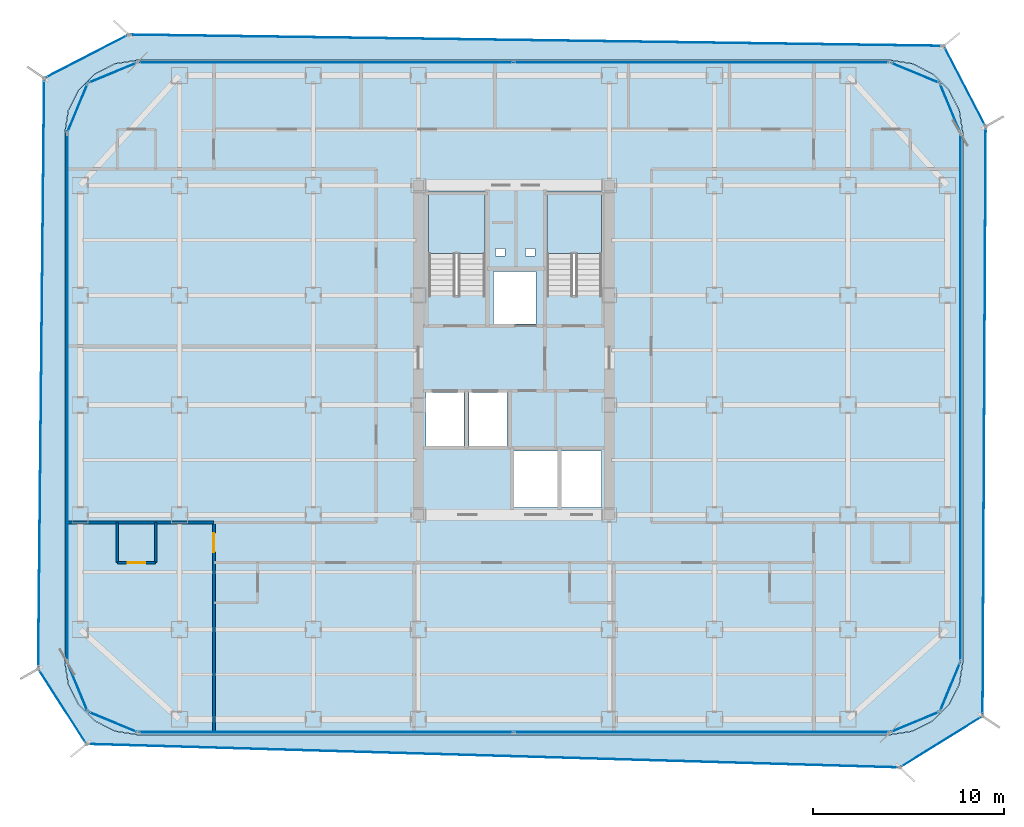
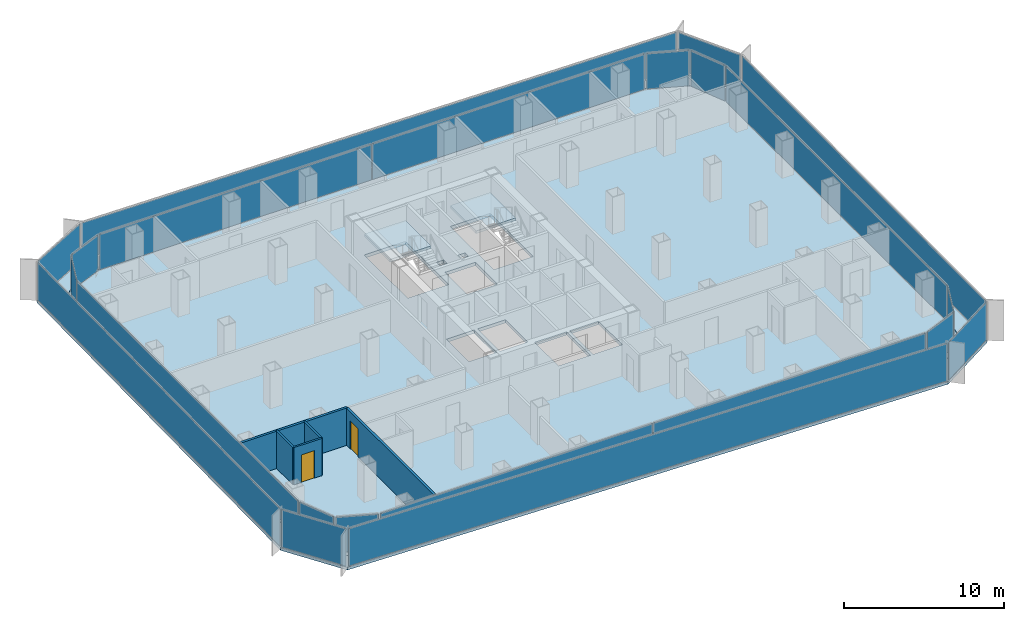
# One storey, part 15 of 21: 22 plates, 5 walls, 4 slabs, 2 doors, 2 openings, 22 elements without a shape of their own.
"""IFC4 building model written with IfcOpenShell, lengths in metres."""

from ifc_helpers import new_model, si_unit, direction, frame, frame_2d, origin, origin_2d, place, context, subcontext, project, spatial, polyline, rectangle, outline, extrude, source, transform, mapped, material, layer, layer_set, type_object, element, fill, aggregate, save


model = new_model("IFC4")

# Units and contexts
model_context = context("Model", 3, precision=1e-05, world=origin(), true_north=direction((0.0, 1.0)))
body_context = subcontext(model_context, "Body", "Model", "MODEL_VIEW")
ifc_project = project(units=[si_unit("LENGTHUNIT", "METRE"), si_unit("AREAUNIT", "SQUARE_METRE"), si_unit("VOLUMEUNIT", "CUBIC_METRE"), si_unit("PLANEANGLEUNIT", "RADIAN"), si_unit("MASSUNIT", "GRAM", prefix="KILO")], contexts=[model_context])

# Site, building, storey
site_placement = place(None, origin())
site = spatial("IfcSite", under=ifc_project, at=site_placement, CompositionType="ELEMENT")
building_placement = place(site_placement, origin())
building = spatial("IfcBuilding", under=site, at=building_placement, Name="Kolveth Station Tower", CompositionType="ELEMENT")
storey_placement = place(building_placement, frame((0.0, 0.0, 148.39990234375)))
storey = spatial("IfcBuildingStorey", under=building, at=storey_placement, Name="L41", CompositionType="ELEMENT", Elevation=148.39990234375)

# Slab
ifc_material_1 = material(Name="Concrete C40/50", Category="concrete")
ifc_layer_1 = layer(ifc_material_1, 0.25)
ifc_layer_set_1 = layer_set([ifc_layer_1], Name="Concrete C40/50")
slab_type_1 = type_object("IfcSlabType", Name="Slab_SF-250", PredefinedType="FLOOR", material=ifc_layer_set_1)
slab_1_placement = place(storey_placement, frame((0.0, 0.0, -0.25)))
element("IfcSlab", 1, at=slab_1_placement, inside=storey, type_object=slab_type_1, Name="L41 Tower Structural Floor Slab", PredefinedType="FLOOR", context=body_context, shape_type="SweptSolid", body=[
    extrude(outline(polyline([(43.199951171875, 0.0), (44.374267578125, 0.18603515625), (45.43359375, 0.7255859375), (46.2744140625, 1.56640625), (46.81396484375, 2.625732421875), (47.0, 3.800048828125), (47.0, 31.5), (46.81396484375, 32.67431640625), (46.2744140625, 33.733642578125), (45.43359375, 34.57421875), (44.374267578125, 35.114013671875), (43.199951171875, 35.300048828125), (3.800048828125, 35.300048828125), (2.625732421875, 35.114013671875), (1.56640625, 34.57421875), (0.7255859375, 33.733642578125), (0.18603515625, 32.67431640625), (0.0, 31.5), (0.0, 3.800048828125), (0.18603515625, 2.625732421875), (0.7255859375, 1.56640625), (1.56640625, 0.7255859375), (2.625732421875, 0.18603515625), (3.800048828125, 0.0), (43.199951171875, 0.0)]), holes=[polyline([(19.0400390625, 22.985107421875), (22.0, 22.985107421875), (22.0, 28.39990234375), (19.0400390625, 28.39990234375), (19.0400390625, 22.985107421875)]), polyline([(25.239990234375, 22.985107421875), (28.10009765625, 22.985107421875), (28.10009765625, 28.39990234375), (25.239990234375, 28.39990234375), (25.239990234375, 22.985107421875)]), polyline([(18.89990234375, 15.10009765625), (20.89990234375, 15.10009765625), (20.89990234375, 17.89990234375), (18.89990234375, 17.89990234375), (18.89990234375, 15.10009765625)]), polyline([(21.14990234375, 15.10009765625), (23.14990234375, 15.10009765625), (23.14990234375, 17.89990234375), (21.14990234375, 17.89990234375), (21.14990234375, 15.10009765625)]), polyline([(22.449951171875, 21.5), (24.64990234375, 21.5), (24.64990234375, 24.25), (22.449951171875, 24.25), (22.449951171875, 21.5)]), polyline([(23.5, 11.89990234375), (25.800048828125, 11.89990234375), (25.800048828125, 14.85009765625), (23.5, 14.85009765625), (23.5, 11.89990234375)]), polyline([(26.0, 11.89990234375), (28.10009765625, 11.89990234375), (28.10009765625, 14.85009765625), (26.0, 14.85009765625), (26.0, 11.89990234375)]), polyline([(22.550048828125, 25.050048828125), (23.050048828125, 25.050048828125), (23.050048828125, 25.449951171875), (22.550048828125, 25.449951171875), (22.550048828125, 25.050048828125)]), polyline([(24.10009765625, 25.050048828125), (24.60009765625, 25.050048828125), (24.60009765625, 25.449951171875), (24.10009765625, 25.449951171875), (24.10009765625, 25.050048828125)])]), origin(), (0.0, 0.0, 1.0), 0.25),
])

# Stair, slab
stair_type_1 = type_object("IfcStairType", Name="Stair_ST2", PredefinedType="HALF_TURN_STAIR", material=ifc_material_1)
stair_1_placement = place(storey_placement, origin())
stair_1 = element("IfcStair", 2, at=stair_1_placement, inside=storey, type_object=stair_type_1, Name="L41 Tower Exit Stair ST2", PredefinedType="HALF_TURN_STAIR")
ifc_layer_2 = layer(ifc_material_1, 0.18994140625)
ifc_layer_set_2 = layer_set([ifc_layer_2], Name="Concrete C40/50")
slab_type_2 = type_object("IfcSlabType", Name="Slab_SL-190", PredefinedType="LANDING", material=ifc_layer_set_2)
slab_2_placement = place(storey_placement, frame((0.0, 0.0, 1.400146484375)))
slab_2 = element("IfcSlab", 3, at=slab_2_placement, type_object=slab_type_2, Name="ST2 landing 1", PredefinedType="LANDING", context=body_context, shape_type="SweptSolid", body=[
    extrude(outline(polyline([(28.10009765625, 25.18994140625), (28.10009765625, 28.39990234375), (25.239990234375, 28.39990234375), (25.239990234375, 25.18994140625), (28.10009765625, 25.18994140625)])), origin(), (0.0, 0.0, 1.0), 0.199951171875),
])
aggregate(stair_1, [slab_2])

stair_type_2 = type_object("IfcStairType", Name="Stair_ST1", PredefinedType="HALF_TURN_STAIR", material=ifc_material_1)
stair_2_placement = place(storey_placement, origin())
stair_2 = element("IfcStair", 4, at=stair_2_placement, inside=storey, type_object=stair_type_2, Name="L41 Tower Exit Stair ST1", PredefinedType="HALF_TURN_STAIR")
ifc_layer_3 = layer(ifc_material_1, 0.205078125)
ifc_layer_set_3 = layer_set([ifc_layer_3], Name="Concrete C40/50")
slab_type_3 = type_object("IfcSlabType", Name="Slab_SL-205", PredefinedType="LANDING", material=ifc_layer_set_3)
slab_3_placement = place(storey_placement, frame((0.0, 0.0, 1.400146484375)))
slab_3 = element("IfcSlab", 5, at=slab_3_placement, type_object=slab_type_3, Name="ST1 landing 1", PredefinedType="LANDING", context=body_context, shape_type="SweptSolid", body=[
    extrude(outline(polyline([(22.0, 25.18994140625), (22.0, 28.39990234375), (19.0400390625, 28.39990234375), (19.0400390625, 25.18994140625), (22.0, 25.18994140625)])), origin(), (0.0, 0.0, 1.0), 0.199951171875),
])
aggregate(stair_2, [slab_3])

# Slab
ifc_layer_4 = layer(ifc_material_1, 0.2099609375)
ifc_layer_set_4 = layer_set([ifc_layer_4], Name="Concrete C40/50")
slab_type_4 = type_object("IfcSlabType", Name="Slab_ST-210", PredefinedType="FLOOR", material=ifc_layer_set_4)
slab_4_placement = place(storey_placement, frame((0.0, 0.0, -0.2099609375)))
element("IfcSlab", 6, at=slab_4_placement, inside=storey, type_object=slab_type_4, Name="L41 Double-Skin Cavity Structural Ledger Ring", PredefinedType="FLOOR", context=body_context, shape_type="SweptSolid", body=[
    extrude(outline(polyline([(1.13525390625, -0.49365234375), (-1.39501953125, 3.44482421875), (-1.08251953125, 34.35693359375), (3.336669921875, 36.6396484375), (46.01220703125, 36.05224609375), (48.20751953125, 31.83154296875), (48.043701171875, 0.96533203125), (43.710693359375, -1.72216796875), (1.13525390625, -0.49365234375)]), holes=[polyline([(43.202392578125, -0.014892578125), (44.376708984375, 0.171142578125), (44.381103515625, 0.172607421875), (45.4404296875, 0.71240234375), (45.444091796875, 0.715087890625), (46.284912109375, 1.555908203125), (46.28759765625, 1.5595703125), (46.827392578125, 2.618896484375), (46.828857421875, 2.623291015625), (47.014892578125, 3.797607421875), (47.014892578125, 3.800048828125), (47.014892578125, 31.5), (47.014892578125, 31.502197265625), (46.828857421875, 32.676513671875), (46.827392578125, 32.68115234375), (46.28759765625, 33.740478515625), (46.284912109375, 33.744140625), (45.444091796875, 34.5849609375), (45.4404296875, 34.587646484375), (44.381103515625, 35.12744140625), (44.376708984375, 35.12890625), (43.202392578125, 35.314697265625), (43.199951171875, 35.31494140625), (3.800048828125, 35.31494140625), (3.797607421875, 35.314697265625), (2.623291015625, 35.12890625), (2.618896484375, 35.12744140625), (1.5595703125, 34.587646484375), (1.555908203125, 34.5849609375), (0.715087890625, 33.744140625), (0.71240234375, 33.740478515625), (0.172607421875, 32.68115234375), (0.171142578125, 32.676513671875), (-0.014892578125, 31.502197265625), (-0.014892578125, 31.5), (-0.014892578125, 3.800048828125), (-0.014892578125, 3.797607421875), (0.171142578125, 2.623291015625), (0.172607421875, 2.618896484375), (0.71240234375, 1.5595703125), (0.715087890625, 1.555908203125), (1.555908203125, 0.715087890625), (1.5595703125, 0.71240234375), (2.618896484375, 0.172607421875), (2.623291015625, 0.171142578125), (3.797607421875, -0.014892578125), (3.800048828125, -0.014892578125), (43.199951171875, -0.014892578125), (43.202392578125, -0.014892578125)])]), origin(), (0.0, 0.0, 1.0), 0.2099609375),
])

# Curtain wall, plate
ifc_material_2 = material(Name="Aluminium 6063-T6 and low-E dark glass", Category="aluminium")
ifc_layer_5 = layer(ifc_material_2, 0.18994140625)
ifc_layer_set_5 = layer_set([ifc_layer_5], Name="Aluminium 6063-T6 and low-E dark glass")
curtain_wall_type_1 = type_object("IfcCurtainWallType", Name="CurtainWall_CW-Z2", PredefinedType="NOTDEFINED", material=ifc_layer_set_5)
curtain_wall_1_placement = place(storey_placement, origin())
curtain_wall_1 = element("IfcCurtainWall", 7, at=curtain_wall_1_placement, inside=storey, type_object=curtain_wall_type_1, Name="L41 Inner Thermal Curtain Wall 1", PredefinedType="NOTDEFINED")
ifc_material_3 = material(Name="Architectural low-E dark glass", Category="glass")
ifc_layer_6 = layer(ifc_material_3, 0.0380859375)
ifc_layer_set_6 = layer_set([ifc_layer_6], Name="Architectural low-E dark glass")
plate_type_1 = type_object("IfcPlateType", Name="Panel_GL2", PredefinedType="CURTAIN_PANEL", material=ifc_layer_set_6)
shared_shape_1 = source(origin(), body_context, "Body", "SweptSolid", [
    extrude(rectangle(XDim=2.670654296875, YDim=0.0380859375, at=origin_2d()), origin(), (0.0, 0.0, 1.0), 2.694091796875),
])
plate_1_placement = place(storey_placement, frame((44.501220703125, 0.658935546875, 0.0732421875), z_axis=(0.0, 0.0, 1.0), x_axis=(0.923887883787, 0.38266326998, 0.0)))
plate_1 = element("IfcPlate", 8, at=plate_1_placement, type_object=plate_type_1, Name="CW-Z2 panel 1.1", PredefinedType="CURTAIN_PANEL", context=body_context, shape_type="MappedRepresentation", body=[
    mapped(shared_shape_1, transform((0.0, 0.0, 0.0), x_axis=(1.0, 0.0, 0.0), y_axis=(0.0, 1.0, 0.0), z_axis=(0.0, 0.0, 1.0), scale=1.0)),
])
aggregate(curtain_wall_1, [plate_1])

curtain_wall_2_placement = place(storey_placement, origin())
curtain_wall_2 = element("IfcCurtainWall", 9, at=curtain_wall_2_placement, inside=storey, type_object=curtain_wall_type_1, Name="L41 Inner Thermal Curtain Wall 2", PredefinedType="NOTDEFINED")
plate_2_placement = place(storey_placement, frame((46.341064453125, 2.498779296875, 0.0732421875), z_axis=(0.0, 0.0, 1.0), x_axis=(0.38266326998, 0.923887883787, 0.0)))
plate_2 = element("IfcPlate", 10, at=plate_2_placement, type_object=plate_type_1, Name="CW-Z2 panel 1.1", PredefinedType="CURTAIN_PANEL", context=body_context, shape_type="MappedRepresentation", body=[
    mapped(shared_shape_1, transform((0.0, 0.0, 0.0), x_axis=(1.0, 0.0, 0.0), y_axis=(0.0, 1.0, 0.0), z_axis=(0.0, 0.0, 1.0), scale=1.0)),
])
aggregate(curtain_wall_2, [plate_2])

curtain_wall_3_placement = place(storey_placement, origin())
curtain_wall_3 = element("IfcCurtainWall", 11, at=curtain_wall_3_placement, inside=storey, type_object=curtain_wall_type_1, Name="L41 Inner Thermal Curtain Wall 4", PredefinedType="NOTDEFINED")
plate_3_placement = place(storey_placement, frame((46.341064453125, 32.801025390625, 0.0732421875), z_axis=(0.0, 0.0, 1.0), x_axis=(-0.38266326998, 0.923887883787, 0.0)))
plate_3 = element("IfcPlate", 12, at=plate_3_placement, type_object=plate_type_1, Name="CW-Z2 panel 1.1", PredefinedType="CURTAIN_PANEL", context=body_context, shape_type="MappedRepresentation", body=[
    mapped(shared_shape_1, transform((0.0, 0.0, 0.0), x_axis=(1.0, 0.0, 0.0), y_axis=(0.0, 1.0, 0.0), z_axis=(0.0, 0.0, 1.0), scale=1.0)),
])
aggregate(curtain_wall_3, [plate_3])

curtain_wall_4_placement = place(storey_placement, origin())
curtain_wall_4 = element("IfcCurtainWall", 13, at=curtain_wall_4_placement, inside=storey, type_object=curtain_wall_type_1, Name="L41 Inner Thermal Curtain Wall 5", PredefinedType="NOTDEFINED")
plate_4_placement = place(storey_placement, frame((44.501220703125, 34.64111328125, 0.0732421875), z_axis=(0.0, 0.0, 1.0), x_axis=(-0.923887883787, 0.38266326998, 0.0)))
plate_4 = element("IfcPlate", 14, at=plate_4_placement, type_object=plate_type_1, Name="CW-Z2 panel 1.1", PredefinedType="CURTAIN_PANEL", context=body_context, shape_type="MappedRepresentation", body=[
    mapped(shared_shape_1, transform((0.0, 0.0, 0.0), x_axis=(1.0, 0.0, 0.0), y_axis=(0.0, 1.0, 0.0), z_axis=(0.0, 0.0, 1.0), scale=1.0)),
])
aggregate(curtain_wall_4, [plate_4])

curtain_wall_5_placement = place(storey_placement, origin())
curtain_wall_5 = element("IfcCurtainWall", 15, at=curtain_wall_5_placement, inside=storey, type_object=curtain_wall_type_1, Name="L41 Inner Thermal Curtain Wall 7", PredefinedType="NOTDEFINED")
plate_5_placement = place(storey_placement, frame((2.498779296875, 34.64111328125, 0.0732421875), z_axis=(0.0, 0.0, 1.0), x_axis=(-0.923887883787, -0.38266326998, 0.0)))
plate_5 = element("IfcPlate", 16, at=plate_5_placement, type_object=plate_type_1, Name="CW-Z2 panel 1.1", PredefinedType="CURTAIN_PANEL", context=body_context, shape_type="MappedRepresentation", body=[
    mapped(shared_shape_1, transform((0.0, 0.0, 0.0), x_axis=(1.0, 0.0, 0.0), y_axis=(0.0, 1.0, 0.0), z_axis=(0.0, 0.0, 1.0), scale=1.0)),
])
aggregate(curtain_wall_5, [plate_5])

curtain_wall_6_placement = place(storey_placement, origin())
curtain_wall_6 = element("IfcCurtainWall", 17, at=curtain_wall_6_placement, inside=storey, type_object=curtain_wall_type_1, Name="L41 Inner Thermal Curtain Wall 8", PredefinedType="NOTDEFINED")
plate_6_placement = place(storey_placement, frame((0.658935546875, 32.801025390625, 0.0732421875), z_axis=(0.0, 0.0, 1.0), x_axis=(-0.38266326998, -0.923887883787, 0.0)))
plate_6 = element("IfcPlate", 18, at=plate_6_placement, type_object=plate_type_1, Name="CW-Z2 panel 1.1", PredefinedType="CURTAIN_PANEL", context=body_context, shape_type="MappedRepresentation", body=[
    mapped(shared_shape_1, transform((0.0, 0.0, 0.0), x_axis=(1.0, 0.0, 0.0), y_axis=(0.0, 1.0, 0.0), z_axis=(0.0, 0.0, 1.0), scale=1.0)),
])
aggregate(curtain_wall_6, [plate_6])

curtain_wall_7_placement = place(storey_placement, origin())
curtain_wall_7 = element("IfcCurtainWall", 19, at=curtain_wall_7_placement, inside=storey, type_object=curtain_wall_type_1, Name="L41 Inner Thermal Curtain Wall 10", PredefinedType="NOTDEFINED")
plate_7_placement = place(storey_placement, frame((0.658935546875, 2.498779296875, 0.0732421875), z_axis=(0.0, 0.0, 1.0), x_axis=(0.38266326998, -0.923887883787, 0.0)))
plate_7 = element("IfcPlate", 20, at=plate_7_placement, type_object=plate_type_1, Name="CW-Z2 panel 1.1", PredefinedType="CURTAIN_PANEL", context=body_context, shape_type="MappedRepresentation", body=[
    mapped(shared_shape_1, transform((0.0, 0.0, 0.0), x_axis=(1.0, 0.0, 0.0), y_axis=(0.0, 1.0, 0.0), z_axis=(0.0, 0.0, 1.0), scale=1.0)),
])
aggregate(curtain_wall_7, [plate_7])

curtain_wall_8_placement = place(storey_placement, origin())
curtain_wall_8 = element("IfcCurtainWall", 21, at=curtain_wall_8_placement, inside=storey, type_object=curtain_wall_type_1, Name="L41 Inner Thermal Curtain Wall 11", PredefinedType="NOTDEFINED")
plate_8_placement = place(storey_placement, frame((2.498779296875, 0.658935546875, 0.0732421875), z_axis=(0.0, 0.0, 1.0), x_axis=(0.923887883787, -0.38266326998, 0.0)))
plate_8 = element("IfcPlate", 22, at=plate_8_placement, type_object=plate_type_1, Name="CW-Z2 panel 1.1", PredefinedType="CURTAIN_PANEL", context=body_context, shape_type="MappedRepresentation", body=[
    mapped(shared_shape_1, transform((0.0, 0.0, 0.0), x_axis=(1.0, 0.0, 0.0), y_axis=(0.0, 1.0, 0.0), z_axis=(0.0, 0.0, 1.0), scale=1.0)),
])
aggregate(curtain_wall_8, [plate_8])

curtain_wall_9_placement = place(storey_placement, origin())
curtain_wall_9 = element("IfcCurtainWall", 23, at=curtain_wall_9_placement, inside=storey, type_object=curtain_wall_type_1, Name="L41 Inner Thermal Curtain Wall 3", PredefinedType="NOTDEFINED")
shared_shape_2 = source(origin(), body_context, "Body", "SweptSolid", [
    extrude(rectangle(XDim=27.553955078125, YDim=0.0380859375, at=origin_2d()), origin(), (0.0, 0.0, 1.0), 2.694091796875),
])
plate_9_placement = place(storey_placement, frame((46.8798828125, 17.64990234375, 0.0732421875), z_axis=(0.0, 0.0, 1.0), x_axis=(0.0, 1.0, 0.0)))
plate_9 = element("IfcPlate", 24, at=plate_9_placement, type_object=plate_type_1, Name="CW-Z2 panel 1.1", PredefinedType="CURTAIN_PANEL", context=body_context, shape_type="MappedRepresentation", body=[
    mapped(shared_shape_2, transform((0.0, 0.0, 0.0), x_axis=(1.0, 0.0, 0.0), y_axis=(0.0, 1.0, 0.0), z_axis=(0.0, 0.0, 1.0), scale=1.0)),
])
aggregate(curtain_wall_9, [plate_9])

curtain_wall_10_placement = place(storey_placement, origin())
curtain_wall_10 = element("IfcCurtainWall", 25, at=curtain_wall_10_placement, inside=storey, type_object=curtain_wall_type_1, Name="L41 Inner Thermal Curtain Wall 9", PredefinedType="NOTDEFINED")
plate_10_placement = place(storey_placement, frame((0.1201171875, 17.64990234375, 0.0732421875), z_axis=(0.0, 0.0, 1.0), x_axis=(0.0, -1.0, 0.0)))
plate_10 = element("IfcPlate", 26, at=plate_10_placement, type_object=plate_type_1, Name="CW-Z2 panel 1.1", PredefinedType="CURTAIN_PANEL", context=body_context, shape_type="MappedRepresentation", body=[
    mapped(shared_shape_2, transform((0.0, 0.0, 0.0), x_axis=(1.0, 0.0, 0.0), y_axis=(0.0, 1.0, 0.0), z_axis=(0.0, 0.0, 1.0), scale=1.0)),
])
aggregate(curtain_wall_10, [plate_10])

# Curtain wall, plates
curtain_wall_11_placement = place(storey_placement, origin())
curtain_wall_11 = element("IfcCurtainWall", 27, at=curtain_wall_11_placement, inside=storey, type_object=curtain_wall_type_1, Name="L41 Inner Thermal Curtain Wall 6", PredefinedType="NOTDEFINED")
shared_shape_3 = source(origin(), body_context, "Body", "SweptSolid", [
    extrude(rectangle(XDim=19.593994140625, YDim=0.0380859375, at=origin_2d()), origin(), (0.0, 0.0, 1.0), 2.694091796875),
])
plate_11_placement = place(storey_placement, frame((33.330078125, 35.179931640625, 0.0732421875), z_axis=(0.0, 0.0, 1.0), x_axis=(-1.0, 0.0, 0.0)))
plate_11 = element("IfcPlate", 28, at=plate_11_placement, type_object=plate_type_1, Name="CW-Z2 panel 1.1", PredefinedType="CURTAIN_PANEL", context=body_context, shape_type="MappedRepresentation", body=[
    mapped(shared_shape_3, transform((0.0, 0.0, 0.0), x_axis=(1.0, 0.0, 0.0), y_axis=(0.0, 1.0, 0.0), z_axis=(0.0, 0.0, 1.0), scale=1.0)),
])
plate_12_placement = place(storey_placement, frame((13.669921875, 35.179931640625, 0.0732421875), z_axis=(0.0, 0.0, 1.0), x_axis=(-1.0, 0.0, 0.0)))
plate_12 = element("IfcPlate", 29, at=plate_12_placement, type_object=plate_type_1, Name="CW-Z2 panel 2.1", PredefinedType="CURTAIN_PANEL", context=body_context, shape_type="MappedRepresentation", body=[
    mapped(shared_shape_3, transform((0.0, 0.0, 0.0), x_axis=(1.0, 0.0, 0.0), y_axis=(0.0, 1.0, 0.0), z_axis=(0.0, 0.0, 1.0), scale=1.0)),
])
aggregate(curtain_wall_11, [plate_11, plate_12])

curtain_wall_12_placement = place(storey_placement, origin())
curtain_wall_12 = element("IfcCurtainWall", 30, at=curtain_wall_12_placement, inside=storey, type_object=curtain_wall_type_1, Name="L41 Inner Thermal Curtain Wall 12", PredefinedType="NOTDEFINED")
plate_13_placement = place(storey_placement, frame((13.669921875, 0.1201171875, 0.0732421875), z_axis=(0.0, 0.0, 1.0), x_axis=(1.0, 0.0, 0.0)))
plate_13 = element("IfcPlate", 31, at=plate_13_placement, type_object=plate_type_1, Name="CW-Z2 panel 1.1", PredefinedType="CURTAIN_PANEL", context=body_context, shape_type="MappedRepresentation", body=[
    mapped(shared_shape_3, transform((0.0, 0.0, 0.0), x_axis=(1.0, 0.0, 0.0), y_axis=(0.0, 1.0, 0.0), z_axis=(0.0, 0.0, 1.0), scale=1.0)),
])
plate_14_placement = place(storey_placement, frame((33.330078125, 0.1201171875, 0.0732421875), z_axis=(0.0, 0.0, 1.0), x_axis=(1.0, 0.0, 0.0)))
plate_14 = element("IfcPlate", 32, at=plate_14_placement, type_object=plate_type_1, Name="CW-Z2 panel 2.1", PredefinedType="CURTAIN_PANEL", context=body_context, shape_type="MappedRepresentation", body=[
    mapped(shared_shape_3, transform((0.0, 0.0, 0.0), x_axis=(1.0, 0.0, 0.0), y_axis=(0.0, 1.0, 0.0), z_axis=(0.0, 0.0, 1.0), scale=1.0)),
])
aggregate(curtain_wall_12, [plate_13, plate_14])

# Curtain wall, plate
ifc_material_4 = material(Name="Black anodized aluminium 6063-T6 and dark solar glass", Category="aluminium")
ifc_layer_7 = layer(ifc_material_4, 0.159912109375)
ifc_layer_set_7 = layer_set([ifc_layer_7], Name="Black anodized aluminium 6063-T6 and dark solar glass")
curtain_wall_type_2 = type_object("IfcCurtainWallType", Name="OUTER SKIN CW-OS", PredefinedType="NOTDEFINED", material=ifc_layer_set_7)
curtain_wall_13_placement = place(storey_placement, origin())
curtain_wall_13 = element("IfcCurtainWall", 33, at=curtain_wall_13_placement, inside=storey, type_object=curtain_wall_type_2, Name="L41 Outer Ventilated Skin Curtain Wall 1", PredefinedType="NOTDEFINED")
ifc_layer_8 = layer(ifc_material_3, 0.028076171875)
ifc_layer_set_8 = layer_set([ifc_layer_8], Name="Architectural low-E dark glass")
plate_type_2 = type_object("IfcPlateType", Name="Panel_GL-OS", PredefinedType="CURTAIN_PANEL", material=ifc_layer_set_8)
shared_shape_4 = source(origin(), body_context, "Body", "SweptSolid", [
    extrude(rectangle(XDim=4.932861328125, YDim=0.028076171875, at=origin_2d()), origin(), (0.0, 0.0, 1.0), 2.843994140625),
])
plate_15_placement = place(storey_placement, frame((45.877197265625, -0.37841796875, 0.0732421875), z_axis=(0.0, 0.0, 1.0), x_axis=(0.849831012747, 0.527055262541, 0.0)))
plate_15 = element("IfcPlate", 34, at=plate_15_placement, type_object=plate_type_2, Name="CW-OS panel 1.1", PredefinedType="CURTAIN_PANEL", context=body_context, shape_type="MappedRepresentation", body=[
    mapped(shared_shape_4, transform((0.0, 0.0, 0.0), x_axis=(1.0, 0.0, 0.0), y_axis=(0.0, 1.0, 0.0), z_axis=(0.0, 0.0, 1.0), scale=1.0)),
])
aggregate(curtain_wall_13, [plate_15])

curtain_wall_14_placement = place(storey_placement, origin())
curtain_wall_14 = element("IfcCurtainWall", 35, at=curtain_wall_14_placement, inside=storey, type_object=curtain_wall_type_2, Name="L41 Outer Ventilated Skin Curtain Wall 2", PredefinedType="NOTDEFINED")
shared_shape_5 = source(origin(), body_context, "Body", "SweptSolid", [
    extrude(rectangle(XDim=30.70068359375, YDim=0.028076171875, at=origin_2d()), origin(), (0.0, 0.0, 1.0), 2.843994140625),
])
plate_16_placement = place(storey_placement, frame((48.125732421875, 16.3984375, 0.0732421875), z_axis=(0.0, 0.0, 1.0), x_axis=(0.005306683782, 0.999985919454, 0.0)))
plate_16 = element("IfcPlate", 36, at=plate_16_placement, type_object=plate_type_2, Name="CW-OS panel 1.1", PredefinedType="CURTAIN_PANEL", context=body_context, shape_type="MappedRepresentation", body=[
    mapped(shared_shape_5, transform((0.0, 0.0, 0.0), x_axis=(1.0, 0.0, 0.0), y_axis=(0.0, 1.0, 0.0), z_axis=(0.0, 0.0, 1.0), scale=1.0)),
])
aggregate(curtain_wall_14, [plate_16])

curtain_wall_15_placement = place(storey_placement, origin())
curtain_wall_15 = element("IfcCurtainWall", 37, at=curtain_wall_15_placement, inside=storey, type_object=curtain_wall_type_2, Name="L41 Outer Ventilated Skin Curtain Wall 3", PredefinedType="NOTDEFINED")
shared_shape_6 = source(origin(), body_context, "Body", "SweptSolid", [
    extrude(rectangle(XDim=4.591552734375, YDim=0.028076171875, at=origin_2d()), origin(), (0.0, 0.0, 1.0), 2.843994140625),
])
plate_17_placement = place(storey_placement, frame((47.10986328125, 33.94189453125, 0.0732421875), z_axis=(0.0, 0.0, 1.0), x_axis=(-0.461441418695, 0.887170680936, 0.0)))
plate_17 = element("IfcPlate", 38, at=plate_17_placement, type_object=plate_type_2, Name="CW-OS panel 1.1", PredefinedType="CURTAIN_PANEL", context=body_context, shape_type="MappedRepresentation", body=[
    mapped(shared_shape_6, transform((0.0, 0.0, 0.0), x_axis=(1.0, 0.0, 0.0), y_axis=(0.0, 1.0, 0.0), z_axis=(0.0, 0.0, 1.0), scale=1.0)),
])
aggregate(curtain_wall_15, [plate_17])

curtain_wall_16_placement = place(storey_placement, origin())
curtain_wall_16 = element("IfcCurtainWall", 39, at=curtain_wall_16_placement, inside=storey, type_object=curtain_wall_type_2, Name="L41 Outer Ventilated Skin Curtain Wall 4", PredefinedType="NOTDEFINED")
shared_shape_7 = source(origin(), body_context, "Body", "SweptSolid", [
    extrude(rectangle(XDim=42.513671875, YDim=0.028076171875, at=origin_2d()), origin(), (0.0, 0.0, 1.0), 2.843994140625),
])
plate_18_placement = place(storey_placement, frame((24.674560546875, 36.345947265625, 0.0732421875), z_axis=(0.0, 0.0, 1.0), x_axis=(-0.999905285847, 0.013762969678, 0.0)))
plate_18 = element("IfcPlate", 40, at=plate_18_placement, type_object=plate_type_2, Name="CW-OS panel 1.1", PredefinedType="CURTAIN_PANEL", context=body_context, shape_type="MappedRepresentation", body=[
    mapped(shared_shape_7, transform((0.0, 0.0, 0.0), x_axis=(1.0, 0.0, 0.0), y_axis=(0.0, 1.0, 0.0), z_axis=(0.0, 0.0, 1.0), scale=1.0)),
])
aggregate(curtain_wall_16, [plate_18])

curtain_wall_17_placement = place(storey_placement, origin())
curtain_wall_17 = element("IfcCurtainWall", 41, at=curtain_wall_17_placement, inside=storey, type_object=curtain_wall_type_2, Name="L41 Outer Ventilated Skin Curtain Wall 5", PredefinedType="NOTDEFINED")
shared_shape_8 = source(origin(), body_context, "Body", "SweptSolid", [
    extrude(rectangle(XDim=4.807861328125, YDim=0.028076171875, at=origin_2d()), origin(), (0.0, 0.0, 1.0), 2.843994140625),
])
plate_19_placement = place(storey_placement, frame((1.127197265625, 35.498291015625, 0.0732421875), z_axis=(0.0, 0.0, 1.0), x_axis=(-0.888454601831, -0.458964508961, 0.0)))
plate_19 = element("IfcPlate", 42, at=plate_19_placement, type_object=plate_type_2, Name="CW-OS panel 1.1", PredefinedType="CURTAIN_PANEL", context=body_context, shape_type="MappedRepresentation", body=[
    mapped(shared_shape_8, transform((0.0, 0.0, 0.0), x_axis=(1.0, 0.0, 0.0), y_axis=(0.0, 1.0, 0.0), z_axis=(0.0, 0.0, 1.0), scale=1.0)),
])
aggregate(curtain_wall_17, [plate_19])

curtain_wall_18_placement = place(storey_placement, origin())
curtain_wall_18 = element("IfcCurtainWall", 43, at=curtain_wall_18_placement, inside=storey, type_object=curtain_wall_type_2, Name="L41 Outer Ventilated Skin Curtain Wall 6", PredefinedType="NOTDEFINED")
shared_shape_9 = source(origin(), body_context, "Body", "SweptSolid", [
    extrude(rectangle(XDim=30.747802734375, YDim=0.028076171875, at=origin_2d()), origin(), (0.0, 0.0, 1.0), 2.843994140625),
])
plate_20_placement = place(storey_placement, frame((-1.23876953125, 18.90087890625, 0.0732421875), z_axis=(0.0, 0.0, 1.0), x_axis=(-0.010108793407, -0.999948904843, 0.0)))
plate_20 = element("IfcPlate", 44, at=plate_20_placement, type_object=plate_type_2, Name="CW-OS panel 1.1", PredefinedType="CURTAIN_PANEL", context=body_context, shape_type="MappedRepresentation", body=[
    mapped(shared_shape_9, transform((0.0, 0.0, 0.0), x_axis=(1.0, 0.0, 0.0), y_axis=(0.0, 1.0, 0.0), z_axis=(0.0, 0.0, 1.0), scale=1.0)),
])
aggregate(curtain_wall_18, [plate_20])

curtain_wall_19_placement = place(storey_placement, origin())
curtain_wall_19 = element("IfcCurtainWall", 45, at=curtain_wall_19_placement, inside=storey, type_object=curtain_wall_type_2, Name="L41 Outer Ventilated Skin Curtain Wall 7", PredefinedType="NOTDEFINED")
shared_shape_10 = source(origin(), body_context, "Body", "SweptSolid", [
    extrude(rectangle(XDim=4.51513671875, YDim=0.028076171875, at=origin_2d()), origin(), (0.0, 0.0, 1.0), 2.843994140625),
])
plate_21_placement = place(storey_placement, frame((-0.1298828125, 1.4755859375, 0.0732421875), z_axis=(0.0, 0.0, 1.0), x_axis=(0.540511399288, -0.841336690772, 0.0)))
plate_21 = element("IfcPlate", 46, at=plate_21_placement, type_object=plate_type_2, Name="CW-OS panel 1.1", PredefinedType="CURTAIN_PANEL", context=body_context, shape_type="MappedRepresentation", body=[
    mapped(shared_shape_10, transform((0.0, 0.0, 0.0), x_axis=(1.0, 0.0, 0.0), y_axis=(0.0, 1.0, 0.0), z_axis=(0.0, 0.0, 1.0), scale=1.0)),
])
aggregate(curtain_wall_19, [plate_21])

curtain_wall_20_placement = place(storey_placement, origin())
curtain_wall_20 = element("IfcCurtainWall", 47, at=curtain_wall_20_placement, inside=storey, type_object=curtain_wall_type_2, Name="L41 Outer Ventilated Skin Curtain Wall 8", PredefinedType="NOTDEFINED")
shared_shape_11 = source(origin(), body_context, "Body", "SweptSolid", [
    extrude(rectangle(XDim=42.427001953125, YDim=0.028076171875, at=origin_2d()), origin(), (0.0, 0.0, 1.0), 2.843994140625),
])
plate_22_placement = place(storey_placement, frame((22.4228515625, -1.10791015625, 0.0732421875), z_axis=(0.0, 0.0, 1.0), x_axis=(0.999583961232, -0.02884275382, 0.0)))
plate_22 = element("IfcPlate", 48, at=plate_22_placement, type_object=plate_type_2, Name="CW-OS panel 1.1", PredefinedType="CURTAIN_PANEL", context=body_context, shape_type="MappedRepresentation", body=[
    mapped(shared_shape_11, transform((0.0, 0.0, 0.0), x_axis=(1.0, 0.0, 0.0), y_axis=(0.0, 1.0, 0.0), z_axis=(0.0, 0.0, 1.0), scale=1.0)),
])
aggregate(curtain_wall_20, [plate_22])

# Walls
ifc_material_5 = material(Name="Moisture-resistant gypsum partition")
ifc_layer_9 = layer(ifc_material_5, 0.135009765625)
ifc_layer_set_9 = layer_set([ifc_layer_9], Name="Moisture-resistant gypsum partition")
wall_type_1 = type_object("IfcWallType", Name="Wall_IW-135", PredefinedType="PARTITIONING", material=ifc_layer_set_9)
for number, where, z_axis, x_axis, name in (
    (49, (2.75, 9.0, 0.0), (0.0, 0.0, 1.0), (0.0, 1.0, 0.0), "L41 Partition Wall WL-L41-WS1-BV1"),
    (50, (4.75, 9.0, 0.0), (0.0, 0.0, 1.0), (0.0, 1.0, 0.0), "L41 Partition Wall WL-L41-WS1-BV2"),
):
    element("IfcWall", number, at=place(storey_placement, frame(where, z_axis=z_axis, x_axis=x_axis)), inside=storey, type_object=wall_type_1, Name=name, PredefinedType="PARTITIONING", context=body_context, shape_type="SweptSolid", body=[
        extrude(rectangle(XDim=2.10009765625, YDim=0.135009765625, at=frame_2d((1.050048828125, 0.0))), origin(), (0.0, 0.0, 1.0), 2.840087890625),
    ])

# Wall, opening, door
wall_1_placement = place(storey_placement, frame((2.75, 9.0, 0.0), z_axis=(0.0, 0.0, 1.0), x_axis=(1.0, 0.0, 0.0)))
wall_1 = element("IfcWall", 51, at=wall_1_placement, inside=storey, type_object=wall_type_1, Name="L41 Partition Wall WL-L41-WS1-BH", PredefinedType="PARTITIONING", context=body_context, shape_type="SweptSolid", body=[
    extrude(rectangle(XDim=2.0, YDim=0.135009765625, at=frame_2d((1.0, 0.0))), origin(), (0.0, 0.0, 1.0), 2.840087890625),
])
opening_1_placement = place(wall_1_placement, frame((0.5400390625, 0.0, 0.0)))
opening_1 = element("IfcOpeningElement", 52, at=opening_1_placement, cuts=wall_1, Name="Opening ID2", PredefinedType="OPENING", context=body_context, shape_type="SweptSolid", body=[
    extrude(rectangle(XDim=0.919921875, YDim=2.10009765625, at=frame_2d((0.4599609375, 1.050048828125))), frame((0.0, 0.077392578125, 0.0), z_axis=(0.0, -1.0, 0.0), x_axis=(1.0, 0.0, 0.0)), (0.0, 0.0, 1.0), 0.155029296875),
])
ifc_material_6 = material(Name="Moisture-resistant hardwood leaf", Category="wood")
door_type_1 = type_object("IfcDoorType", Name="Door_ID2", OperationType="NOTDEFINED", PredefinedType="DOOR", material=ifc_material_6)
door_1_placement = place(opening_1_placement, origin())
door_1 = element("IfcDoor", 53, at=door_1_placement, inside=storey, type_object=door_type_1, Name="L41 Hotel Corner Suite WS1 En-Suite Door", OperationType="SINGLE_SWING_LEFT", OverallHeight=2.10009765625, OverallWidth=0.919921875, PredefinedType="DOOR", context=body_context, shape_type="SweptSolid", body=[
    extrude(rectangle(XDim=0.919921875, YDim=2.10009765625, at=frame_2d((0.4599609375, 1.050048828125))), frame((0.0, 0.02490234375, 0.0), z_axis=(0.0, -1.0, 0.0), x_axis=(1.0, 0.0, 0.0)), (0.0, 0.0, 1.0), 0.050048828125),
])
fill(opening_1, door_1)

ifc_material_7 = material(Name="Acoustic double-stud gypsum partition")
ifc_layer_10 = layer(ifc_material_7, 0.1650390625)
ifc_layer_set_10 = layer_set([ifc_layer_10], Name="Acoustic double-stud gypsum partition")
wall_type_2 = type_object("IfcWallType", Name="Wall_IW-165", PredefinedType="PARTITIONING", material=ifc_layer_set_10)
wall_2_placement = place(storey_placement, frame((7.800048828125, 0.159912109375, 0.0), z_axis=(0.0, 0.0, 1.0), x_axis=(0.0, 1.0, 0.0)))
wall_2 = element("IfcWall", 54, at=wall_2_placement, inside=storey, type_object=wall_type_2, Name="L41 Partition Wall WL-L41-END-WS", PredefinedType="PARTITIONING", context=body_context, shape_type="SweptSolid", body=[
    extrude(rectangle(XDim=10.940185546875, YDim=0.1650390625, at=frame_2d((5.47021484375, 0.0))), origin(), (0.0, 0.0, 1.0), 2.840087890625),
])
opening_2_placement = place(wall_2_placement, frame((9.389892578125, 0.0, 0.0)))
opening_2 = element("IfcOpeningElement", 55, at=opening_2_placement, cuts=wall_2, Name="Opening FD3", PredefinedType="OPENING", context=body_context, shape_type="SweptSolid", body=[
    extrude(rectangle(XDim=1.0, YDim=2.14990234375, at=frame_2d((0.5, 1.074951171875))), frame((0.0, 0.092529296875, 0.0), z_axis=(0.0, -1.0, 0.0), x_axis=(1.0, 0.0, 0.0)), (0.0, 0.0, 1.0), 0.18505859375),
])
ifc_material_8 = material(Name="Fire-rated hardwood leaf and aluminium frame", Category="wood")
door_type_2 = type_object("IfcDoorType", Name="Door_FD3", OperationType="NOTDEFINED", PredefinedType="DOOR", material=ifc_material_8)
door_2_placement = place(opening_2_placement, origin())
door_2 = element("IfcDoor", 56, at=door_2_placement, inside=storey, type_object=door_type_2, Name="L41 Hotel Corner Suite WS1 Entrance Door", OperationType="SINGLE_SWING_LEFT", OverallHeight=2.14990234375, OverallWidth=1.0, PredefinedType="DOOR", context=body_context, shape_type="SweptSolid", body=[
    extrude(rectangle(XDim=1.0, YDim=2.14990234375, at=frame_2d((0.5, 1.074951171875))), frame((0.0, 0.02490234375, 0.0), z_axis=(0.0, -1.0, 0.0), x_axis=(1.0, 0.0, 0.0)), (0.0, 0.0, 1.0), 0.050048828125),
])
fill(opening_2, door_2)

# Wall
wall_3_placement = place(storey_placement, frame((0.159912109375, 11.10009765625, 0.0), z_axis=(0.0, 0.0, 1.0), x_axis=(1.0, 0.0, 0.0)))
element("IfcWall", 57, at=wall_3_placement, inside=storey, type_object=wall_type_2, Name="L41 Partition Wall WL-L41-WM1", PredefinedType="PARTITIONING", context=body_context, shape_type="SweptSolid", body=[
    extrude(rectangle(XDim=7.64013671875, YDim=0.1650390625, at=frame_2d((3.820068359375, 0.0))), origin(), (0.0, 0.0, 1.0), 2.840087890625),
])

save(model, "model.ifc")
